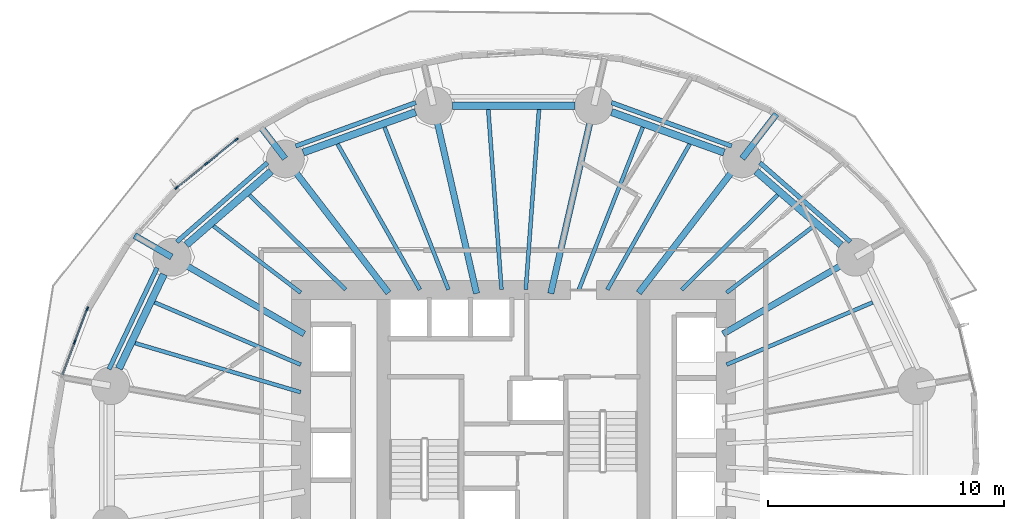
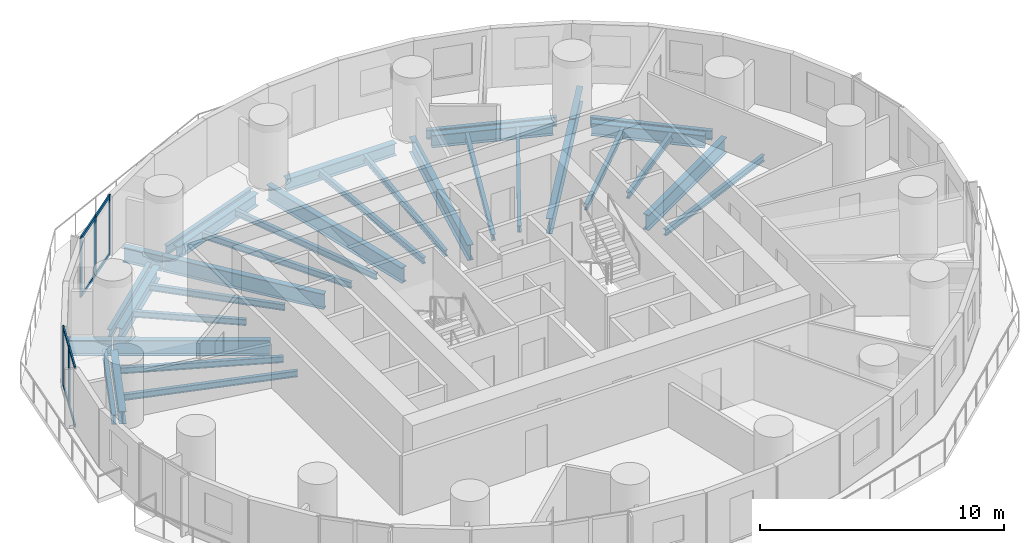
# One storey, part 4 of 14: 33 beams, 13 members, 2 elements without a shape of their own.
"""IFC4 building model written with IfcOpenShell, lengths in metres."""

from ifc_helpers import new_model, si_unit, direction, frame, origin, origin_2d, place, context, subcontext, project, spatial, rectangle, i_section, extrude, material, material_profile, profile_set, type_object, element, aggregate, save


model = new_model("IFC4")

# Units and contexts
model_context = context("Model", 3, precision=1e-05, world=origin(), true_north=direction((0.0, 1.0)))
body_context = subcontext(model_context, "Body", "Model", "MODEL_VIEW")
ifc_project = project(units=[si_unit("LENGTHUNIT", "METRE"), si_unit("AREAUNIT", "SQUARE_METRE"), si_unit("VOLUMEUNIT", "CUBIC_METRE"), si_unit("PLANEANGLEUNIT", "RADIAN"), si_unit("MASSUNIT", "GRAM", prefix="KILO")], contexts=[model_context])

# Site, building, storey
site_placement = place(None, origin())
site = spatial("IfcSite", under=ifc_project, at=site_placement, CompositionType="ELEMENT")
building_placement = place(site_placement, origin())
building = spatial("IfcBuilding", under=site, at=building_placement, Name="Veldorim Arch Residences", CompositionType="ELEMENT")
storey_placement = place(building_placement, frame((0.0, 0.0, 34.39990234375)))
storey = spatial("IfcBuildingStorey", under=building, at=storey_placement, Name="L09", CompositionType="ELEMENT", Elevation=34.39990234375)

# Beams
ifc_material_1 = material(Name="Steel S355", Category="steel")
ifc_material_profile_1 = material_profile(ifc_material_1, i_section(OverallWidth=0.30712890625, OverallDepth=0.6201171875, WebThickness=0.01416015625, FlangeThickness=0.023681640625, at=origin_2d()), Name="UB610x305x179")
ifc_profile_set_1 = profile_set([ifc_material_profile_1], Name="Steel S355")
beam_type_1 = type_object("IfcBeamType", Name="Structural Steel Beam UB610x305x179", PredefinedType="BEAM", material=ifc_profile_set_1)
beam_1_placement = place(storey_placement, frame((45.86328125, 32.913330078125, -0.550048828125), z_axis=(-0.755235029424, 0.655454079499, 0.0), x_axis=(-0.655454079499, -0.755235029424, 0.0)))
element("IfcBeam", 1, at=beam_1_placement, inside=storey, type_object=beam_type_1, Name="L09 perimeter ring tie beam 02", PredefinedType="BEAM", context=body_context, shape_type="SweptSolid", body=[
    extrude(i_section(OverallWidth=0.30712890625, OverallDepth=0.6201171875, WebThickness=0.01416015625, FlangeThickness=0.023681640625, at=origin_2d()), origin(), (0.0, 0.0, 1.0), 4.756591796875),
])
beam_2_placement = place(storey_placement, frame((40.9140625, 36.82568359375, -0.550048828125), z_axis=(-0.94103540046, 0.338308106732, 0.0), x_axis=(-0.338308106732, -0.94103540046, 0.0)))
element("IfcBeam", 2, at=beam_2_placement, inside=storey, type_object=beam_type_1, Name="L09 perimeter ring tie beam 03", PredefinedType="BEAM", context=body_context, shape_type="SweptSolid", body=[
    extrude(i_section(OverallWidth=0.30712890625, OverallDepth=0.6201171875, WebThickness=0.01416015625, FlangeThickness=0.023681640625, at=origin_2d()), origin(), (0.0, 0.0, 1.0), 5.065185546875),
])
beam_3_placement = place(storey_placement, frame((34.594482421875, 38.809814453125, -0.550048828125), z_axis=(-1.0, 0.0, 0.0), x_axis=(0.0, -1.0, 0.0)))
element("IfcBeam", 3, at=beam_3_placement, inside=storey, type_object=beam_type_1, Name="L09 perimeter ring tie beam 04", PredefinedType="BEAM", context=body_context, shape_type="SweptSolid", body=[
    extrude(i_section(OverallWidth=0.30712890625, OverallDepth=0.6201171875, WebThickness=0.01416015625, FlangeThickness=0.023681640625, at=origin_2d()), origin(), (0.0, 0.0, 1.0), 5.18896484375),
])
beam_4_placement = place(storey_placement, frame((27.8525390625, 38.539306640625, -0.550048828125), z_axis=(-0.94103540046, -0.338308106732, 0.0), x_axis=(0.338308106732, -0.94103540046, 0.0)))
element("IfcBeam", 4, at=beam_4_placement, inside=storey, type_object=beam_type_1, Name="L09 perimeter ring tie beam 05", PredefinedType="BEAM", context=body_context, shape_type="SweptSolid", body=[
    extrude(i_section(OverallWidth=0.30712890625, OverallDepth=0.6201171875, WebThickness=0.01416015625, FlangeThickness=0.023681640625, at=origin_2d()), origin(), (0.0, 0.0, 1.0), 5.065185546875),
])
beam_5_placement = place(storey_placement, frame((21.72900390625, 36.031005859375, -0.550048828125), z_axis=(-0.755235029424, -0.655454079499, 0.0), x_axis=(0.655454079499, -0.755235029424, 0.0)))
element("IfcBeam", 5, at=beam_5_placement, inside=storey, type_object=beam_type_1, Name="L09 perimeter ring tie beam 06", PredefinedType="BEAM", context=body_context, shape_type="SweptSolid", body=[
    extrude(i_section(OverallWidth=0.30712890625, OverallDepth=0.6201171875, WebThickness=0.01416015625, FlangeThickness=0.023681640625, at=origin_2d()), origin(), (0.0, 0.0, 1.0), 4.756591796875),
])
beam_6_placement = place(storey_placement, frame((17.187744140625, 31.6669921875, -0.550048828125), z_axis=(-0.430786696724, -0.902453778276, 0.0), x_axis=(0.902453778276, -0.430786696724, 0.0)))
element("IfcBeam", 6, at=beam_6_placement, inside=storey, type_object=beam_type_1, Name="L09 perimeter ring tie beam 07", PredefinedType="BEAM", context=body_context, shape_type="SweptSolid", body=[
    extrude(i_section(OverallWidth=0.30712890625, OverallDepth=0.6201171875, WebThickness=0.01416015625, FlangeThickness=0.023681640625, at=origin_2d()), origin(), (0.0, 0.0, 1.0), 4.431396484375),
])
ifc_material_2 = material(Name="Steel S355", Category="steel")
ifc_material_profile_2 = material_profile(ifc_material_2, i_section(OverallWidth=0.26806640625, OverallDepth=0.769775390625, WebThickness=0.015625, FlangeThickness=0.025390625, at=origin_2d()), Name="UB762x267x197")
ifc_profile_set_2 = profile_set([ifc_material_profile_2], Name="Steel S355")
beam_type_2 = type_object("IfcBeamType", Name="Structural Steel GIRDER UB762x267x197", PredefinedType="USERDEFINED", material=ifc_profile_set_2)
beam_7_placement = place(storey_placement, frame((40.8701171875, 29.1435546875, -0.624755859375), z_axis=(0.865088348752, 0.501619525989, 0.0), x_axis=(-0.501619525989, 0.865088348752, 0.0)))
element("IfcBeam", 7, at=beam_7_placement, inside=storey, type_object=beam_type_2, Name="L09 radial floor girder 02", ObjectType="GIRDER", PredefinedType="USERDEFINED", context=body_context, shape_type="SweptSolid", body=[
    extrude(i_section(OverallWidth=0.26806640625, OverallDepth=0.769775390625, WebThickness=0.015625, FlangeThickness=0.025390625, at=origin_2d()), origin(), (0.0, 0.0, 1.0), 6.4501953125),
])
beam_8_placement = place(storey_placement, frame((37.298095703125, 30.881103515625, -0.624755859375), z_axis=(0.610082439157, 0.792337943956, 0.0), x_axis=(-0.792337943956, 0.610082439157, 0.0)))
element("IfcBeam", 8, at=beam_8_placement, inside=storey, type_object=beam_type_2, Name="L09 radial floor girder 03", ObjectType="GIRDER", PredefinedType="USERDEFINED", context=body_context, shape_type="SweptSolid", body=[
    extrude(i_section(OverallWidth=0.26806640625, OverallDepth=0.769775390625, WebThickness=0.015625, FlangeThickness=0.025390625, at=origin_2d()), origin(), (0.0, 0.0, 1.0), 7.14111328125),
])
beam_9_placement = place(storey_placement, frame((41.67919921875, 36.571044921875, -0.624755859375), z_axis=(0.610028458485, 0.792379504933, 0.0), x_axis=(-0.792379504933, 0.610028458485, 0.0)))
element("IfcBeam", 9, at=beam_9_placement, inside=storey, type_object=beam_type_2, Name="L09 radial edge cantilever girder 03", ObjectType="GIRDER", PredefinedType="USERDEFINED", context=body_context, shape_type="SweptSolid", body=[
    extrude(i_section(OverallWidth=0.26806640625, OverallDepth=0.769775390625, WebThickness=0.015625, FlangeThickness=0.025390625, at=origin_2d()), origin(), (0.0, 0.0, 1.0), 2.37646484375),
])
for number, where, z_axis, x_axis, name in (
    (10, (33.571044921875, 30.853759765625, -0.624755859375), (0.223411766201, 0.974724157248, 0.0), (-0.974724157248, 0.223411766201, 0.0), "L09 radial floor girder 04"),
    (11, (30.428955078125, 30.853759765625, -0.624755859375), (-0.223411766201, 0.974724157248, 0.0), (-0.974724157248, -0.223411766201, 0.0), "L09 radial floor girder 05"),
):
    element("IfcBeam", number, at=place(storey_placement, frame(where, z_axis=z_axis, x_axis=x_axis)), inside=storey, type_object=beam_type_2, Name=name, ObjectType="GIRDER", PredefinedType="USERDEFINED", context=body_context, shape_type="SweptSolid", body=[
        extrude(i_section(OverallWidth=0.26806640625, OverallDepth=0.769775390625, WebThickness=0.015625, FlangeThickness=0.025390625, at=origin_2d()), origin(), (0.0, 0.0, 1.0), 8.142333984375),
    ])
beam_10_placement = place(storey_placement, frame((26.701904296875, 30.881103515625, -0.624755859375), z_axis=(-0.610082439157, 0.792337943956, 0.0), x_axis=(-0.792337943956, -0.610082439157, 0.0)))
element("IfcBeam", 12, at=beam_10_placement, inside=storey, type_object=beam_type_2, Name="L09 radial floor girder 06", ObjectType="GIRDER", PredefinedType="USERDEFINED", context=body_context, shape_type="SweptSolid", body=[
    extrude(i_section(OverallWidth=0.26806640625, OverallDepth=0.769775390625, WebThickness=0.015625, FlangeThickness=0.025390625, at=origin_2d()), origin(), (0.0, 0.0, 1.0), 7.14111328125),
])
beam_11_placement = place(storey_placement, frame((22.32080078125, 36.571044921875, -0.624755859375), z_axis=(-0.610051931938, 0.792361432895, 0.0), x_axis=(-0.792361432895, -0.610051931938, 0.0)))
element("IfcBeam", 13, at=beam_11_placement, inside=storey, type_object=beam_type_2, Name="L09 radial edge cantilever girder 06", ObjectType="GIRDER", PredefinedType="USERDEFINED", context=body_context, shape_type="SweptSolid", body=[
    extrude(i_section(OverallWidth=0.26806640625, OverallDepth=0.769775390625, WebThickness=0.015625, FlangeThickness=0.025390625, at=origin_2d()), origin(), (0.0, 0.0, 1.0), 1.728759765625),
])
beam_12_placement = place(storey_placement, frame((23.1298828125, 29.1435546875, -0.624755859375), z_axis=(-0.865088348752, 0.501619525989, 0.0), x_axis=(-0.501619525989, -0.865088348752, 0.0)))
element("IfcBeam", 14, at=beam_12_placement, inside=storey, type_object=beam_type_2, Name="L09 radial floor girder 07", ObjectType="GIRDER", PredefinedType="USERDEFINED", context=body_context, shape_type="SweptSolid", body=[
    extrude(i_section(OverallWidth=0.26806640625, OverallDepth=0.769775390625, WebThickness=0.015625, FlangeThickness=0.025390625, at=origin_2d()), origin(), (0.0, 0.0, 1.0), 6.4501953125),
])
beam_13_placement = place(storey_placement, frame((17.51513671875, 32.399169921875, -0.624755859375), z_axis=(-0.86511292658, 0.501577136904, 0.0), x_axis=(-0.501577136904, -0.86511292658, 0.0)))
element("IfcBeam", 15, at=beam_13_placement, inside=storey, type_object=beam_type_2, Name="L09 radial edge cantilever girder 07", ObjectType="GIRDER", PredefinedType="USERDEFINED", context=body_context, shape_type="SweptSolid", body=[
    extrude(i_section(OverallWidth=0.26806640625, OverallDepth=0.769775390625, WebThickness=0.015625, FlangeThickness=0.025390625, at=origin_2d()), origin(), (0.0, 0.0, 1.0), 1.814697265625),
])
ifc_material_3 = material(Name="Steel S355", Category="steel")
ifc_material_profile_3 = material_profile(ifc_material_3, i_section(OverallWidth=0.165771484375, OverallDepth=0.306640625, WebThickness=0.006591796875, FlangeThickness=0.01171875, at=origin_2d()), Name="UB305x165x46")
ifc_profile_set_3 = profile_set([ifc_material_profile_3], Name="Steel S355")
beam_type_3 = type_object("IfcBeamType", Name="Structural Steel Joist UB305x165x46", PredefinedType="JOIST", material=ifc_profile_set_3)
beam_14_placement = place(storey_placement, frame((41.018310546875, 27.84130859375, -0.393310546875), z_axis=(0.920032948668, 0.391841005213, 0.0), x_axis=(-0.391841005213, 0.920032948668, 0.0)))
element("IfcBeam", 16, at=beam_14_placement, inside=storey, type_object=beam_type_3, Name="L09 secondary radial floor joist 01-2", PredefinedType="JOIST", context=body_context, shape_type="SweptSolid", body=[
    extrude(i_section(OverallWidth=0.165771484375, OverallDepth=0.306640625, WebThickness=0.006591796875, FlangeThickness=0.01171875, at=origin_2d()), origin(), (0.0, 0.0, 1.0), 6.723388671875),
])
beam_15_placement = place(storey_placement, frame((41.015869140625, 30.8876953125, -0.393310546875), z_axis=(0.794666431166, 0.607046343517, 0.0), x_axis=(-0.607046343517, 0.794666431166, 0.0)))
element("IfcBeam", 17, at=beam_15_placement, inside=storey, type_object=beam_type_3, Name="L09 secondary radial floor joist 02-1", PredefinedType="JOIST", context=body_context, shape_type="SweptSolid", body=[
    extrude(i_section(OverallWidth=0.165771484375, OverallDepth=0.306640625, WebThickness=0.006591796875, FlangeThickness=0.01171875, at=origin_2d()), origin(), (0.0, 0.0, 1.0), 4.646728515625),
])
beam_16_placement = place(storey_placement, frame((39.114990234375, 31.013916015625, -0.393310546875), z_axis=(0.712129078446, 0.702048556463, 0.0), x_axis=(-0.702048556463, 0.712129078446, 0.0)))
element("IfcBeam", 18, at=beam_16_placement, inside=storey, type_object=beam_type_3, Name="L09 secondary radial floor joist 02-2", PredefinedType="JOIST", context=body_context, shape_type="SweptSolid", body=[
    extrude(i_section(OverallWidth=0.165771484375, OverallDepth=0.306640625, WebThickness=0.006591796875, FlangeThickness=0.01171875, at=origin_2d()), origin(), (0.0, 0.0, 1.0), 5.715576171875),
])
beam_17_placement = place(storey_placement, frame((35.96875, 31.017333984375, -0.393310546875), z_axis=(0.492292335352, 0.870429926274, 0.0), x_axis=(-0.870429926274, 0.492292335352, 0.0)))
element("IfcBeam", 19, at=beam_17_placement, inside=storey, type_object=beam_type_3, Name="L09 secondary radial floor joist 03-1", PredefinedType="JOIST", context=body_context, shape_type="SweptSolid", body=[
    extrude(i_section(OverallWidth=0.165771484375, OverallDepth=0.306640625, WebThickness=0.006591796875, FlangeThickness=0.01171875, at=origin_2d()), origin(), (0.0, 0.0, 1.0), 7.083251953125),
])
beam_18_placement = place(storey_placement, frame((34.762451171875, 31.0185546875, -0.393310546875), z_axis=(0.366229833858, 0.930524426758, 0.0), x_axis=(-0.930524426758, 0.366229833858, 0.0)))
element("IfcBeam", 20, at=beam_18_placement, inside=storey, type_object=beam_type_3, Name="L09 secondary radial floor joist 03-2", PredefinedType="JOIST", context=body_context, shape_type="SweptSolid", body=[
    extrude(i_section(OverallWidth=0.165771484375, OverallDepth=0.306640625, WebThickness=0.006591796875, FlangeThickness=0.01171875, at=origin_2d()), origin(), (0.0, 0.0, 1.0), 7.3896484375),
])
for number, where, z_axis, x_axis, name in (
    (21, (32.514892578125, 31.02001953125, -0.393310546875), (0.073167620373, 0.997319657547, 0.0), (-0.997319657547, 0.073167620373, 0.0), "L09 secondary radial floor joist 04-1"),
    (22, (31.485107421875, 31.02001953125, -0.393310546875), (-0.073167620373, 0.997319657547, 0.0), (-0.997319657547, -0.073167620373, 0.0), "L09 secondary radial floor joist 04-2"),
):
    element("IfcBeam", number, at=place(storey_placement, frame(where, z_axis=z_axis, x_axis=x_axis)), inside=storey, type_object=beam_type_3, Name=name, PredefinedType="JOIST", context=body_context, shape_type="SweptSolid", body=[
        extrude(i_section(OverallWidth=0.165771484375, OverallDepth=0.306640625, WebThickness=0.006591796875, FlangeThickness=0.01171875, at=origin_2d()), origin(), (0.0, 0.0, 1.0), 7.651123046875),
    ])
beam_19_placement = place(storey_placement, frame((29.237548828125, 31.0185546875, -0.393310546875), z_axis=(-0.366229833858, 0.930524426758, 0.0), x_axis=(-0.930524426758, -0.366229833858, 0.0)))
element("IfcBeam", 23, at=beam_19_placement, inside=storey, type_object=beam_type_3, Name="L09 secondary radial floor joist 05-1", PredefinedType="JOIST", context=body_context, shape_type="SweptSolid", body=[
    extrude(i_section(OverallWidth=0.165771484375, OverallDepth=0.306640625, WebThickness=0.006591796875, FlangeThickness=0.01171875, at=origin_2d()), origin(), (0.0, 0.0, 1.0), 7.3896484375),
])
beam_20_placement = place(storey_placement, frame((28.03125, 31.017333984375, -0.393310546875), z_axis=(-0.492292335352, 0.870429926274, 0.0), x_axis=(-0.870429926274, -0.492292335352, 0.0)))
element("IfcBeam", 24, at=beam_20_placement, inside=storey, type_object=beam_type_3, Name="L09 secondary radial floor joist 05-2", PredefinedType="JOIST", context=body_context, shape_type="SweptSolid", body=[
    extrude(i_section(OverallWidth=0.165771484375, OverallDepth=0.306640625, WebThickness=0.006591796875, FlangeThickness=0.01171875, at=origin_2d()), origin(), (0.0, 0.0, 1.0), 7.083251953125),
])
beam_21_placement = place(storey_placement, frame((24.885009765625, 31.013916015625, -0.393310546875), z_axis=(-0.712129078446, 0.702048556463, 0.0), x_axis=(-0.702048556463, -0.712129078446, 0.0)))
element("IfcBeam", 25, at=beam_21_placement, inside=storey, type_object=beam_type_3, Name="L09 secondary radial floor joist 06-1", PredefinedType="JOIST", context=body_context, shape_type="SweptSolid", body=[
    extrude(i_section(OverallWidth=0.165771484375, OverallDepth=0.306640625, WebThickness=0.006591796875, FlangeThickness=0.01171875, at=origin_2d()), origin(), (0.0, 0.0, 1.0), 5.715576171875),
])
beam_22_placement = place(storey_placement, frame((22.984130859375, 30.8876953125, -0.393310546875), z_axis=(-0.794666431166, 0.607046343517, 0.0), x_axis=(-0.607046343517, -0.794666431166, 0.0)))
element("IfcBeam", 26, at=beam_22_placement, inside=storey, type_object=beam_type_3, Name="L09 secondary radial floor joist 06-2", PredefinedType="JOIST", context=body_context, shape_type="SweptSolid", body=[
    extrude(i_section(OverallWidth=0.165771484375, OverallDepth=0.306640625, WebThickness=0.006591796875, FlangeThickness=0.01171875, at=origin_2d()), origin(), (0.0, 0.0, 1.0), 4.646728515625),
])
beam_23_placement = place(storey_placement, frame((22.981689453125, 27.84130859375, -0.393310546875), z_axis=(-0.920032948668, 0.391841005213, 0.0), x_axis=(-0.391841005213, -0.920032948668, 0.0)))
element("IfcBeam", 27, at=beam_23_placement, inside=storey, type_object=beam_type_3, Name="L09 secondary radial floor joist 07-1", PredefinedType="JOIST", context=body_context, shape_type="SweptSolid", body=[
    extrude(i_section(OverallWidth=0.165771484375, OverallDepth=0.306640625, WebThickness=0.006591796875, FlangeThickness=0.01171875, at=origin_2d()), origin(), (0.0, 0.0, 1.0), 6.723388671875),
])
beam_24_placement = place(storey_placement, frame((22.980712890625, 26.67333984375, -0.393310546875), z_axis=(-0.958766778771, 0.284194060325, 0.0), x_axis=(-0.284194060325, -0.958766778771, 0.0)))
element("IfcBeam", 28, at=beam_24_placement, inside=storey, type_object=beam_type_3, Name="L09 secondary radial floor joist 07-2", PredefinedType="JOIST", context=body_context, shape_type="SweptSolid", body=[
    extrude(i_section(OverallWidth=0.165771484375, OverallDepth=0.306640625, WebThickness=0.006591796875, FlangeThickness=0.01171875, at=origin_2d()), origin(), (0.0, 0.0, 1.0), 7.3115234375),
])
ifc_material_4 = material(Name="Steel S355", Category="steel")
ifc_material_profile_4 = material_profile(ifc_material_4, i_section(OverallWidth=0.19140625, OverallDepth=0.4599609375, WebThickness=0.010009765625, FlangeThickness=0.01611328125, at=origin_2d()), Name="UB457x191x82")
ifc_profile_set_4 = profile_set([ifc_material_profile_4], Name="Steel S355")
beam_type_4 = type_object("IfcBeamType", Name="Structural Steel Spandrel UB457x191x82", PredefinedType="SPANDREL", material=ifc_profile_set_4)
beam_25_placement = place(storey_placement, frame((46.26611328125, 33.042724609375, -0.489990234375), z_axis=(-0.753250231024, 0.65773405679, 0.0), x_axis=(-0.65773405679, -0.753250231024, 0.0)))
element("IfcBeam", 29, at=beam_25_placement, inside=storey, type_object=beam_type_4, Name="L09 perimeter chord spandrel beam 02", PredefinedType="SPANDREL", context=body_context, shape_type="SweptSolid", body=[
    extrude(i_section(OverallWidth=0.19140625, OverallDepth=0.4599609375, WebThickness=0.010009765625, FlangeThickness=0.01611328125, at=origin_2d()), origin(), (0.0, 0.0, 1.0), 5.09423828125),
])
for number, where, z_axis, x_axis, name in (
    (30, (41.23681640625, 37.095947265625, -0.489990234375), (-0.940271320222, 0.340425974873, 0.0), (-0.340425974873, -0.940271320222, 0.0), "L09 perimeter chord spandrel beam 03"),
    (31, (27.8583984375, 38.940673828125, -0.489990234375), (-0.940271320222, -0.340425974873, 0.0), (0.340425974873, -0.940271320222, 0.0), "L09 perimeter chord spandrel beam 05"),
):
    element("IfcBeam", number, at=place(storey_placement, frame(where, z_axis=z_axis, x_axis=x_axis)), inside=storey, type_object=beam_type_4, Name=name, PredefinedType="SPANDREL", context=body_context, shape_type="SweptSolid", body=[
        extrude(i_section(OverallWidth=0.19140625, OverallDepth=0.4599609375, WebThickness=0.010009765625, FlangeThickness=0.01611328125, at=origin_2d()), origin(), (0.0, 0.0, 1.0), 5.4189453125),
    ])
beam_26_placement = place(storey_placement, frame((21.571044921875, 36.393310546875, -0.489990234375), z_axis=(-0.753250231024, -0.65773405679, 0.0), x_axis=(0.65773405679, -0.753250231024, 0.0)))
element("IfcBeam", 32, at=beam_26_placement, inside=storey, type_object=beam_type_4, Name="L09 perimeter chord spandrel beam 06", PredefinedType="SPANDREL", context=body_context, shape_type="SweptSolid", body=[
    extrude(i_section(OverallWidth=0.19140625, OverallDepth=0.4599609375, WebThickness=0.010009765625, FlangeThickness=0.01611328125, at=origin_2d()), origin(), (0.0, 0.0, 1.0), 5.09423828125),
])
beam_27_placement = place(storey_placement, frame((16.90185546875, 31.943603515625, -0.489990234375), z_axis=(-0.42886940858, -0.903366498374, 0.0), x_axis=(0.903366498374, -0.42886940858, 0.0)))
element("IfcBeam", 33, at=beam_27_placement, inside=storey, type_object=beam_type_4, Name="L09 perimeter chord spandrel beam 07", PredefinedType="SPANDREL", context=body_context, shape_type="SweptSolid", body=[
    extrude(i_section(OverallWidth=0.19140625, OverallDepth=0.4599609375, WebThickness=0.010009765625, FlangeThickness=0.01611328125, at=origin_2d()), origin(), (0.0, 0.0, 1.0), 4.7568359375),
])

# Curtain wall, members
ifc_material_5 = material(Name="Aluminium", Category="aluminium")
curtain_wall_type = type_object("IfcCurtainWallType", Name="Zone 1 Acoustic Low-E Unitised Curtain Wall", PredefinedType="NOTDEFINED", material=ifc_material_5)
curtain_wall_1_placement = place(storey_placement, origin())
curtain_wall_1 = element("IfcCurtainWall", 34, at=curtain_wall_1_placement, inside=storey, type_object=curtain_wall_type, Name="L09 unitised curtain wall bay 13", PredefinedType="NOTDEFINED")
ifc_material_6 = material(Name="Aluminium", Category="aluminium")
ifc_material_profile_5 = material_profile(ifc_material_6, rectangle(XDim=0.06494140625, YDim=0.175048828125, at=origin_2d()), Name="ALU_MUL_65x175")
ifc_profile_set_5 = profile_set([ifc_material_profile_5], Name="Aluminium")
member_type_1 = type_object("IfcMemberType", Name="Zone 1 Acoustic Low-E Unitised Curtain Wall Mullion 65x175", PredefinedType="MULLION", material=ifc_profile_set_5)
member_1_placement = place(storey_placement, frame((17.731689453125, 35.33740234375, 0.0), z_axis=(0.0, 0.0, 1.0), x_axis=(-0.627561647578, 0.77856687477, 0.0)))
member_1 = element("IfcMember", 35, at=member_1_placement, type_object=member_type_1, Name="CW-Z1 mullion 1", PredefinedType="MULLION", context=body_context, shape_type="SweptSolid", body=[
    extrude(rectangle(XDim=0.06494140625, YDim=0.175048828125, at=origin_2d()), origin(), (0.0, 0.0, 1.0), 2.960205078125),
])
member_2_placement = place(storey_placement, frame((18.99462890625, 36.355224609375, 0.0), z_axis=(0.0, 0.0, 1.0), x_axis=(-0.627561647578, 0.77856687477, 0.0)))
member_2 = element("IfcMember", 36, at=member_2_placement, type_object=member_type_1, Name="CW-Z1 mullion 2", PredefinedType="MULLION", context=body_context, shape_type="SweptSolid", body=[
    extrude(rectangle(XDim=0.06494140625, YDim=0.175048828125, at=origin_2d()), origin(), (0.0, 0.0, 1.0), 2.960205078125),
])
member_3_placement = place(storey_placement, frame((20.257568359375, 37.373291015625, 0.0), z_axis=(0.0, 0.0, 1.0), x_axis=(-0.627561647578, 0.77856687477, 0.0)))
member_3 = element("IfcMember", 37, at=member_3_placement, type_object=member_type_1, Name="CW-Z1 mullion 3", PredefinedType="MULLION", context=body_context, shape_type="SweptSolid", body=[
    extrude(rectangle(XDim=0.06494140625, YDim=0.175048828125, at=origin_2d()), origin(), (0.0, 0.0, 1.0), 2.960205078125),
])

curtain_wall_2_placement = place(storey_placement, origin())
curtain_wall_2 = element("IfcCurtainWall", 38, at=curtain_wall_2_placement, inside=storey, type_object=curtain_wall_type, Name="L09 unitised curtain wall bay 16", PredefinedType="NOTDEFINED")
member_4_placement = place(storey_placement, frame((13.410400390625, 28.794677734375, 0.0), z_axis=(0.0, 0.0, 1.0), x_axis=(-0.9356558675, 0.352913725454, 0.0)))
member_4 = element("IfcMember", 39, at=member_4_placement, type_object=member_type_1, Name="CW-Z1 mullion 2", PredefinedType="MULLION", context=body_context, shape_type="SweptSolid", body=[
    extrude(rectangle(XDim=0.06494140625, YDim=0.175048828125, at=origin_2d()), origin(), (0.0, 0.0, 1.0), 2.960205078125),
])
member_5_placement = place(storey_placement, frame((13.943115234375, 30.20703125, 0.0), z_axis=(0.0, 0.0, 1.0), x_axis=(-0.9356558675, 0.352913725454, 0.0)))
member_5 = element("IfcMember", 40, at=member_5_placement, type_object=member_type_1, Name="CW-Z1 mullion 3", PredefinedType="MULLION", context=body_context, shape_type="SweptSolid", body=[
    extrude(rectangle(XDim=0.06494140625, YDim=0.175048828125, at=origin_2d()), origin(), (0.0, 0.0, 1.0), 2.960205078125),
])

# Member
ifc_material_7 = material(Name="Aluminium", Category="aluminium")
ifc_material_profile_6 = material_profile(ifc_material_7, rectangle(XDim=0.06494140625, YDim=0.14990234375, at=origin_2d()), Name="ALU_TRN_65x150")
ifc_profile_set_6 = profile_set([ifc_material_profile_6], Name="Aluminium")
member_type_2 = type_object("IfcMemberType", Name="Zone 1 Acoustic Low-E Unitised Curtain Wall Transom 65x150", PredefinedType="USERDEFINED", material=ifc_profile_set_6)
member_6_placement = place(storey_placement, frame((17.757080078125, 35.357666015625, 0.03271484375), z_axis=(0.778492123333, 0.627654374563, 0.0), x_axis=(-0.627654374563, 0.778492123333, 0.0)))
member_6 = element("IfcMember", 41, at=member_6_placement, type_object=member_type_2, Name="CW-Z1 transom 1.1", ObjectType="TRANSOM", PredefinedType="USERDEFINED", context=body_context, shape_type="SweptSolid", body=[
    extrude(rectangle(XDim=0.06494140625, YDim=0.14990234375, at=origin_2d()), origin(), (0.0, 0.0, 1.0), 1.55712890625),
])

member_7_placement = place(storey_placement, frame((17.757080078125, 35.357666015625, 2.927490234375), z_axis=(0.778492123333, 0.627654374563, 0.0), x_axis=(-0.627654374563, 0.778492123333, 0.0)))
member_7 = element("IfcMember", 42, at=member_7_placement, type_object=member_type_2, Name="CW-Z1 transom 1.2", ObjectType="TRANSOM", PredefinedType="USERDEFINED", context=body_context, shape_type="SweptSolid", body=[
    extrude(rectangle(XDim=0.06494140625, YDim=0.14990234375, at=origin_2d()), origin(), (0.0, 0.0, 1.0), 1.55712890625),
])

member_8_placement = place(storey_placement, frame((19.02001953125, 36.375732421875, 0.03271484375), z_axis=(0.778568739358, 0.627559334322, 0.0), x_axis=(-0.627559334322, 0.778568739358, 0.0)))
member_8 = element("IfcMember", 43, at=member_8_placement, type_object=member_type_2, Name="CW-Z1 transom 2.1", ObjectType="TRANSOM", PredefinedType="USERDEFINED", context=body_context, shape_type="SweptSolid", body=[
    extrude(rectangle(XDim=0.06494140625, YDim=0.14990234375, at=origin_2d()), origin(), (0.0, 0.0, 1.0), 1.556884765625),
])

member_9_placement = place(storey_placement, frame((19.02001953125, 36.375732421875, 2.927490234375), z_axis=(0.778568739358, 0.627559334322, 0.0), x_axis=(-0.627559334322, 0.778568739358, 0.0)))
member_9 = element("IfcMember", 44, at=member_9_placement, type_object=member_type_2, Name="CW-Z1 transom 2.2", ObjectType="TRANSOM", PredefinedType="USERDEFINED", context=body_context, shape_type="SweptSolid", body=[
    extrude(rectangle(XDim=0.06494140625, YDim=0.14990234375, at=origin_2d()), origin(), (0.0, 0.0, 1.0), 1.556884765625),
])

aggregate(curtain_wall_1, [member_1, member_2, member_3, member_6, member_7, member_8, member_9])

member_10_placement = place(storey_placement, frame((12.88916015625, 27.41259765625, 0.03271484375), z_axis=(0.352845127387, 0.935681738669, 0.0), x_axis=(-0.935681738669, 0.352845127387, 0.0)))
member_10 = element("IfcMember", 45, at=member_10_placement, type_object=member_type_2, Name="CW-Z1 transom 1.1", ObjectType="TRANSOM", PredefinedType="USERDEFINED", context=body_context, shape_type="SweptSolid", body=[
    extrude(rectangle(XDim=0.06494140625, YDim=0.14990234375, at=origin_2d()), origin(), (0.0, 0.0, 1.0), 1.44482421875),
])

member_11_placement = place(storey_placement, frame((12.88916015625, 27.41259765625, 2.927490234375), z_axis=(0.352845127387, 0.935681738669, 0.0), x_axis=(-0.935681738669, 0.352845127387, 0.0)))
member_11 = element("IfcMember", 46, at=member_11_placement, type_object=member_type_2, Name="CW-Z1 transom 1.2", ObjectType="TRANSOM", PredefinedType="USERDEFINED", context=body_context, shape_type="SweptSolid", body=[
    extrude(rectangle(XDim=0.06494140625, YDim=0.14990234375, at=origin_2d()), origin(), (0.0, 0.0, 1.0), 1.44482421875),
])

member_12_placement = place(storey_placement, frame((13.421875, 28.8251953125, 0.03271484375), z_axis=(0.352900926809, 0.935660694834, 0.0), x_axis=(-0.935660694834, 0.352900926809, 0.0)))
member_12 = element("IfcMember", 47, at=member_12_placement, type_object=member_type_2, Name="CW-Z1 transom 2.1", ObjectType="TRANSOM", PredefinedType="USERDEFINED", context=body_context, shape_type="SweptSolid", body=[
    extrude(rectangle(XDim=0.06494140625, YDim=0.14990234375, at=origin_2d()), origin(), (0.0, 0.0, 1.0), 1.444580078125),
])

member_13_placement = place(storey_placement, frame((13.421875, 28.8251953125, 2.927490234375), z_axis=(0.352900926809, 0.935660694834, 0.0), x_axis=(-0.935660694834, 0.352900926809, 0.0)))
member_13 = element("IfcMember", 48, at=member_13_placement, type_object=member_type_2, Name="CW-Z1 transom 2.2", ObjectType="TRANSOM", PredefinedType="USERDEFINED", context=body_context, shape_type="SweptSolid", body=[
    extrude(rectangle(XDim=0.06494140625, YDim=0.14990234375, at=origin_2d()), origin(), (0.0, 0.0, 1.0), 1.444580078125),
])

aggregate(curtain_wall_2, [member_4, member_5, member_10, member_11, member_12, member_13])

save(model, "model.ifc")
